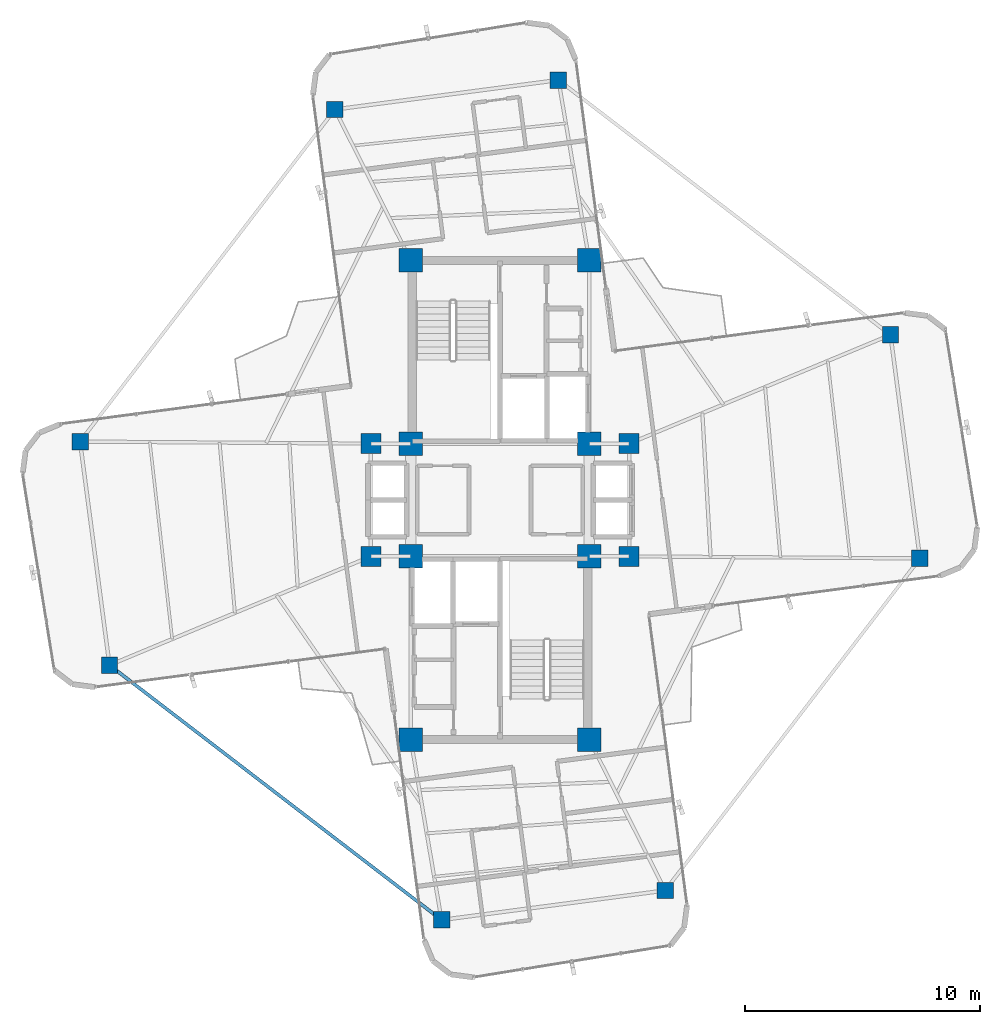
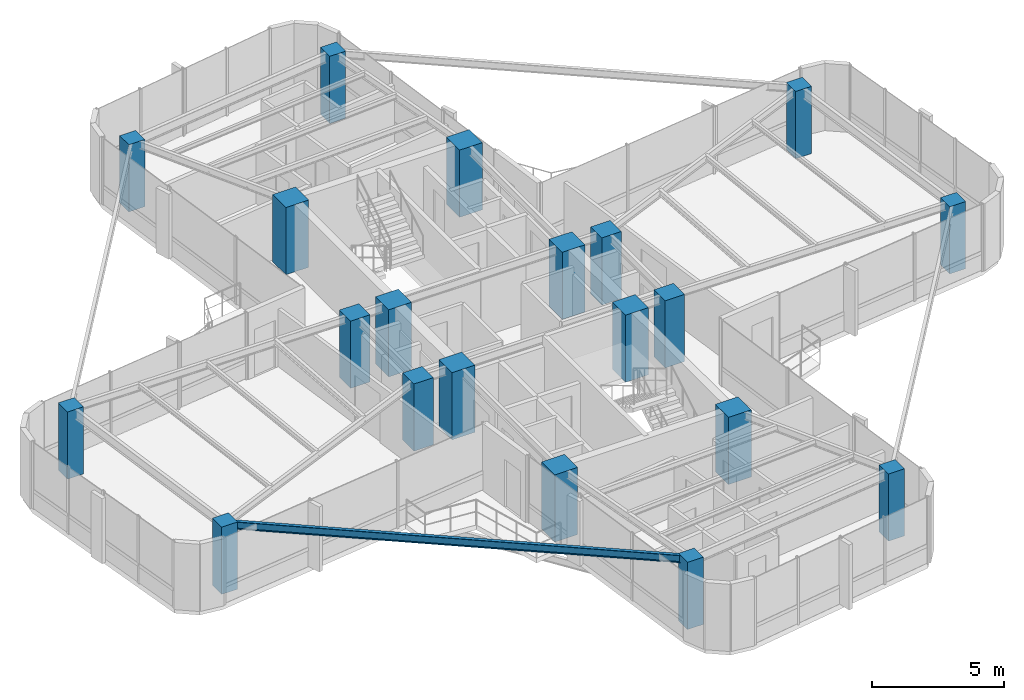
# One storey, part 1 of 21: 20 columns, 1 beam.
"""IFC4 building model written with IfcOpenShell, lengths in metres."""

from ifc_helpers import new_model, si_unit, direction, frame, origin, origin_2d, place, context, subcontext, project, spatial, rectangle, i_section, extrude, source, transform, mapped, material, material_profile, profile_set, type_object, element, save


model = new_model("IFC4")

# Units and contexts
model_context = context("Model", 3, precision=1e-05, world=origin(), true_north=direction((0.0, 1.0)))
body_context = subcontext(model_context, "Body", "Model", "MODEL_VIEW")
ifc_project = project(units=[si_unit("LENGTHUNIT", "METRE"), si_unit("AREAUNIT", "SQUARE_METRE"), si_unit("VOLUMEUNIT", "CUBIC_METRE"), si_unit("PLANEANGLEUNIT", "RADIAN"), si_unit("MASSUNIT", "GRAM", prefix="KILO")], contexts=[model_context])

# Site, building, storey
site_placement = place(None, origin())
site = spatial("IfcSite", under=ifc_project, at=site_placement, CompositionType="ELEMENT")
building_placement = place(site_placement, origin())
building = spatial("IfcBuilding", under=site, at=building_placement, Name="Sahyath Konkavel Grand Hotel", CompositionType="ELEMENT")
storey_placement = place(building_placement, frame((0.0, 0.0, 213.199951171875)))
storey = spatial("IfcBuildingStorey", under=building, at=storey_placement, Name="L59", CompositionType="ELEMENT", Elevation=213.199951171875)

# Columns
ifc_material_1 = material(Name="Concrete C50/60", Category="concrete")
ifc_material_profile_1 = material_profile(ifc_material_1, rectangle(XDim=1.0, YDim=1.0, at=origin_2d()), Name="RC 1000x1000")
ifc_profile_set_1 = profile_set([ifc_material_profile_1], Name="Concrete C50/60")
column_type_1 = type_object("IfcColumnType", Name="COL-RC1000", PredefinedType="COLUMN", material=ifc_profile_set_1)
shared_shape_1 = source(origin(), body_context, "Body", "SweptSolid", [
    extrude(rectangle(XDim=1.0, YDim=1.0, at=origin_2d()), origin(), (0.0, 0.0, 1.0), 3.110107421875),
])
for number, where, z_axis, x_axis, name in (
    (1, (-3.800048828125, 2.39990234375, 0.0), (0.0, 0.0, 1.0), (1.0, 0.0, 0.0), "L59 Core Boundary Column NC-SW"),
    (2, (3.800048828125, 2.39990234375, 0.0), (0.0, 0.0, 1.0), (1.0, 0.0, 0.0), "L59 Core Boundary Column NC-SE"),
    (3, (-3.800048828125, 10.199951171875, 0.0), (0.0, 0.0, 1.0), (1.0, 0.0, 0.0), "L59 Core Boundary Column NC-NW"),
    (4, (3.800048828125, 10.199951171875, 0.0), (0.0, 0.0, 1.0), (1.0, 0.0, 0.0), "L59 Core Boundary Column NC-NE"),
    (5, (-3.800048828125, -2.39990234375, 0.0), (0.0, 0.0, 1.0), (1.0, 0.0, 0.0), "L59 Core Boundary Column SC-NW"),
    (6, (3.800048828125, -2.39990234375, 0.0), (0.0, 0.0, 1.0), (1.0, 0.0, 0.0), "L59 Core Boundary Column SC-NE"),
    (7, (-3.800048828125, -10.199951171875, 0.0), (0.0, 0.0, 1.0), (1.0, 0.0, 0.0), "L59 Core Boundary Column SC-SW"),
    (8, (3.800048828125, -10.199951171875, 0.0), (0.0, 0.0, 1.0), (1.0, 0.0, 0.0), "L59 Core Boundary Column SC-SE"),
):
    element("IfcColumn", number, at=place(storey_placement, frame(where, z_axis=z_axis, x_axis=x_axis)), inside=storey, type_object=column_type_1, Name=name, PredefinedType="COLUMN", context=body_context, shape_type="MappedRepresentation", body=[
        mapped(shared_shape_1, transform((0.0, 0.0, 0.0), scale=1.0)),
    ])
ifc_material_2 = material(Name="Concrete C40/50", Category="concrete")
ifc_material_profile_2 = material_profile(ifc_material_2, rectangle(XDim=0.85009765625, YDim=0.85009765625, at=origin_2d()), Name="RC 850x850")
ifc_profile_set_2 = profile_set([ifc_material_profile_2], Name="Concrete C40/50")
column_type_2 = type_object("IfcColumnType", Name="COL-RC850", PredefinedType="COLUMN", material=ifc_profile_set_2)
shared_shape_2 = source(origin(), body_context, "Body", "SweptSolid", [
    extrude(rectangle(XDim=0.85009765625, YDim=0.85009765625, at=origin_2d()), origin(), (0.0, 0.0, 1.0), 3.110107421875),
])
for number, where, z_axis, x_axis, name in (
    (9, (5.5, 2.39990234375, 0.0), (0.0, 0.0, 1.0), (1.0, 0.0, 0.0), "L59 Central Spine Column HB-NE"),
    (10, (-5.5, 2.39990234375, 0.0), (0.0, 0.0, 1.0), (1.0, 0.0, 0.0), "L59 Central Spine Column HB-NW"),
    (11, (5.5, -2.39990234375, 0.0), (0.0, 0.0, 1.0), (1.0, 0.0, 0.0), "L59 Central Spine Column HB-SE"),
    (12, (-5.5, -2.39990234375, 0.0), (0.0, 0.0, 1.0), (1.0, 0.0, 0.0), "L59 Central Spine Column HB-SW"),
):
    element("IfcColumn", number, at=place(storey_placement, frame(where, z_axis=z_axis, x_axis=x_axis)), inside=storey, type_object=column_type_2, Name=name, PredefinedType="COLUMN", context=body_context, shape_type="MappedRepresentation", body=[
        mapped(shared_shape_2, transform((0.0, 0.0, 0.0), scale=1.0)),
    ])
ifc_material_profile_3 = material_profile(ifc_material_2, rectangle(XDim=0.699951171875, YDim=0.699951171875, at=origin_2d()), Name="RC 700x700")
ifc_profile_set_3 = profile_set([ifc_material_profile_3], Name="Concrete C40/50")
column_type_3 = type_object("IfcColumnType", Name="COL-RC700", PredefinedType="COLUMN", material=ifc_profile_set_3)
shared_shape_3 = source(origin(), body_context, "Body", "SweptSolid", [
    extrude(rectangle(XDim=0.699951171875, YDim=0.699951171875, at=origin_2d()), origin(), (0.0, 0.0, 1.0), 3.110107421875),
])
for number, where, z_axis, x_axis, name in (
    (13, (17.877685546875, -2.48779296875, 0.0), (0.0, 0.0, 1.0), (1.0, 0.0, 0.0), "L59 Cruciform Wing Column WC-EA"),
    (14, (16.62451171875, 7.030029296875, 0.0), (0.0, 0.0, 1.0), (1.0, 0.0, 0.0), "L59 Cruciform Wing Column WC-EB"),
    (15, (2.48779296875, 17.877685546875, 0.0), (0.0, 0.0, 1.0), (1.0, 0.0, 0.0), "L59 Cruciform Wing Column WC-NA"),
    (16, (-7.030029296875, 16.62451171875, 0.0), (0.0, 0.0, 1.0), (1.0, 0.0, 0.0), "L59 Cruciform Wing Column WC-NB"),
    (17, (-17.877685546875, 2.48779296875, 0.0), (0.0, 0.0, 1.0), (1.0, 0.0, 0.0), "L59 Cruciform Wing Column WC-WA"),
    (18, (-16.62451171875, -7.030029296875, 0.0), (0.0, 0.0, 1.0), (1.0, 0.0, 0.0), "L59 Cruciform Wing Column WC-WB"),
    (19, (-2.48779296875, -17.877685546875, 0.0), (0.0, 0.0, 1.0), (1.0, 0.0, 0.0), "L59 Cruciform Wing Column WC-SA"),
    (20, (7.030029296875, -16.62451171875, 0.0), (0.0, 0.0, 1.0), (1.0, 0.0, 0.0), "L59 Cruciform Wing Column WC-SB"),
):
    element("IfcColumn", number, at=place(storey_placement, frame(where, z_axis=z_axis, x_axis=x_axis)), inside=storey, type_object=column_type_3, Name=name, PredefinedType="COLUMN", context=body_context, shape_type="MappedRepresentation", body=[
        mapped(shared_shape_3, transform((0.0, 0.0, 0.0), scale=1.0)),
    ])

# Beam
ifc_material_3 = material(Name="Steel E350", Category="steel")
ifc_material_profile_4 = material_profile(ifc_material_3, i_section(OverallWidth=0.139892578125, OverallDepth=0.35009765625, WebThickness=0.008056640625, FlangeThickness=0.01416015625, FilletRadius=0.013916015625, at=origin_2d()), Name="ISMB 350")
ifc_profile_set_4 = profile_set([ifc_material_profile_4], Name="Steel E350")
beam_type = type_object("IfcBeamType", Name="BM-ISMB350", PredefinedType="BEAM", material=ifc_profile_set_4)
shared_shape_4 = source(origin(), body_context, "Body", "SweptSolid", [
    extrude(i_section(OverallWidth=0.139892578125, OverallDepth=0.35009765625, WebThickness=0.008056640625, FlangeThickness=0.01416015625, FilletRadius=0.013916015625, at=origin_2d()), origin(), (0.0, 0.0, 1.0), 17.819091796875),
])
beam_placement = place(storey_placement, frame((-16.62451171875, -7.030029296875, 2.93505859375), z_axis=(0.793348720932, -0.608767449027, 0.0), x_axis=(0.608767449027, 0.793348720932, 0.0)))
element("IfcBeam", 21, at=beam_placement, inside=storey, type_object=beam_type, Name="L59 Re-Entrant Tie Beam SW", PredefinedType="BEAM", context=body_context, shape_type="MappedRepresentation", body=[
    mapped(shared_shape_4, transform((0.0, 0.0, 0.0), scale=1.0)),
])

save(model, "model.ifc")
